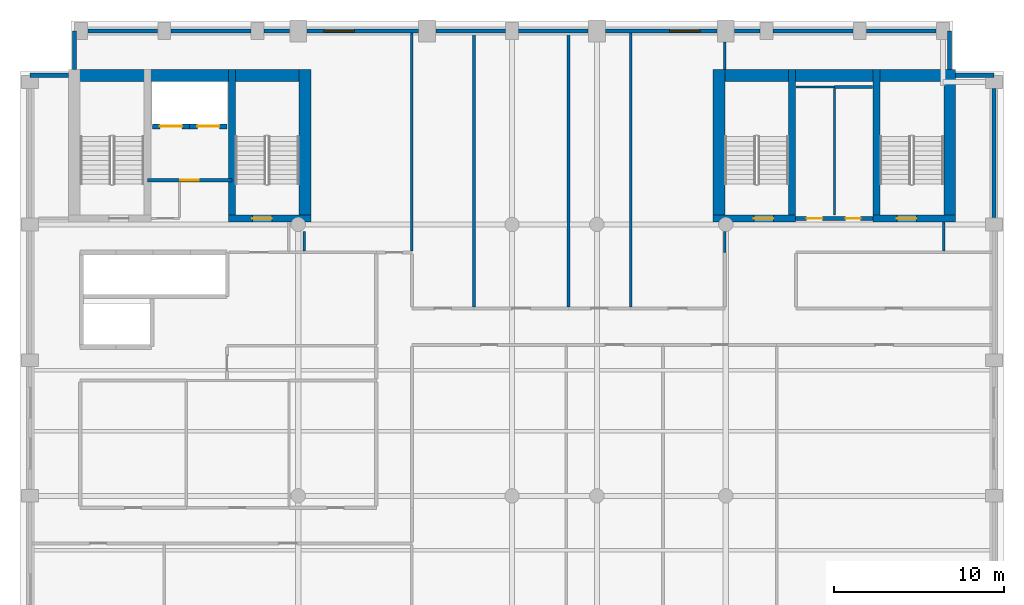
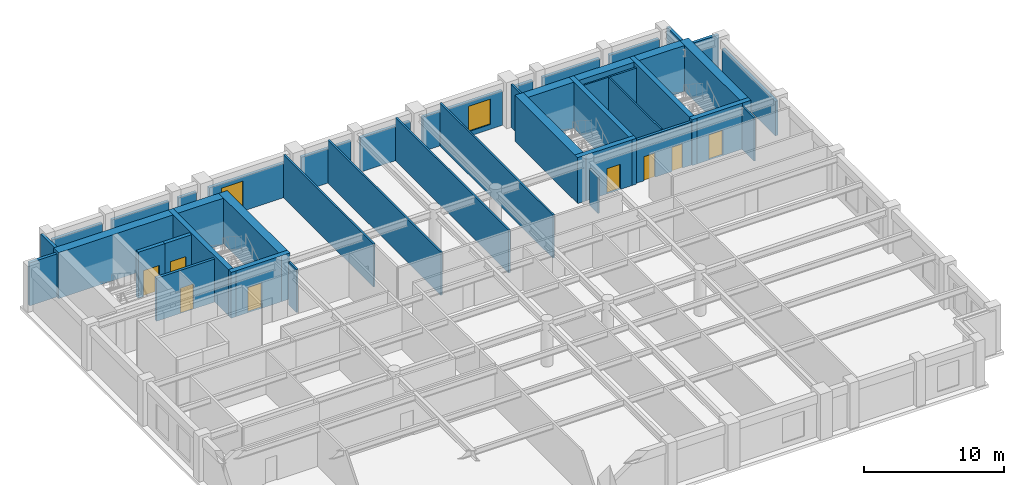
# One storey, part 5 of 8: 41 walls, 8 doors, 2 windows, 10 openings.
"""IFC4 building model written with IfcOpenShell, lengths in metres."""

import ifcopenshell
import ifcopenshell.guid

model = None  # the IFC model being written
_history = None  # IfcOwnerHistory: only IFC2X3 demands one
_inside = {}  # id of a spatial element -> (the spatial element, [elements in it])
_under = {}  # id of a project, library or spatial element -> (it, [spatial elements below it])
_declared = {}  # id of a project -> (the project, [libraries it declares])
_typed = {}  # id of a type object -> (the type object, [elements of that type])
_made_of = {}  # id of a material, layer set ... -> (it, [elements and type objects made of it])


def new_model(schema):
    """Start an empty IFC model of exactly this schema.

    Asked for "IFC4X3", IfcOpenShell would pick the latest addendum, in which some entities
    have other attributes; the version numbers below select the first issue.
    IFC2X3 requires an IfcOwnerHistory on every rooted entity: one is made here for all.
    """
    global model, _history
    if schema == "IFC4X3":
        model = ifcopenshell.file(schema_version=(4, 3, 0, 0))
    else:
        model = ifcopenshell.file(schema=schema)
    _inside.clear()
    _under.clear()
    _declared.clear()
    _typed.clear()
    _made_of.clear()
    _history = None
    if model.schema == "IFC2X3":
        org = make("IfcOrganization", Name="unknown")
        user = make(
            "IfcPersonAndOrganization",
            ThePerson=make("IfcPerson", FamilyName="unknown"),
            TheOrganization=org,
        )
        app = make(
            "IfcApplication",
            ApplicationDeveloper=org,
            Version="unknown",
            ApplicationFullName="unknown",
            ApplicationIdentifier="unknown",
        )
        _history = make(
            "IfcOwnerHistory",
            OwningUser=user,
            OwningApplication=app,
            ChangeAction="ADDED",
            CreationDate=0,
        )
    return model


def make(cls, **values):
    """One entity of the class cls with the attributes given. An attribute that is None is left unset."""
    return model.create_entity(
        cls, **{name: value for name, value in values.items() if value is not None}
    )


def rooted(cls, **values):
    """An entity with a GlobalId (a new one), such as an element, a storey or a relation."""
    return make(cls, GlobalId=ifcopenshell.guid.new(), OwnerHistory=_history, **values)


def si_unit(unit_type, name, prefix=None):
    """IfcSIUnit, for example si_unit("LENGTHUNIT", "METRE", prefix="MILLI")."""
    return make("IfcSIUnit", UnitType=unit_type, Prefix=prefix, Name=name)


def assignment(units):
    """IfcUnitAssignment: the units of a project."""
    return None if units is None else make("IfcUnitAssignment", Units=units)


def point(xyz):
    """IfcCartesianPoint."""
    return None if xyz is None else make("IfcCartesianPoint", Coordinates=xyz)


def direction(xyz):
    """IfcDirection."""
    return None if xyz is None else make("IfcDirection", DirectionRatios=xyz)


def frame(location, z_axis=None, x_axis=None):
    """IfcAxis2Placement3D, a coordinate frame: its origin and axes. An axis left out is left unset."""
    return make(
        "IfcAxis2Placement3D",
        Location=point(location),
        Axis=direction(z_axis),
        RefDirection=direction(x_axis),
    )


def frame_2d(location, x_axis=None):
    """IfcAxis2Placement2D, a coordinate frame in the plane: its origin and x axis."""
    return make(
        "IfcAxis2Placement2D", Location=point(location), RefDirection=direction(x_axis)
    )


def origin():
    """The frame at (0, 0, 0) with its axes left unset."""
    return frame((0.0, 0.0, 0.0))


def place(relative_to, where):
    """IfcLocalPlacement: puts the frame where relative to a parent placement (None: the world)."""
    return make(
        "IfcLocalPlacement", PlacementRelTo=relative_to, RelativePlacement=where
    )


def context(
    kind, dimensions, precision=None, world=None, true_north=None, identifier=None
):
    """IfcGeometricRepresentationContext, for example the 3D "Model" context."""
    return make(
        "IfcGeometricRepresentationContext",
        ContextIdentifier=identifier,
        ContextType=kind,
        CoordinateSpaceDimension=dimensions,
        Precision=precision,
        WorldCoordinateSystem=world,
        TrueNorth=true_north,
    )


def subcontext(parent, identifier, kind, view, scale=None):
    """IfcGeometricRepresentationSubContext, for example "Body" below "Model"."""
    return make(
        "IfcGeometricRepresentationSubContext",
        ContextIdentifier=identifier,
        ContextType=kind,
        ParentContext=parent,
        TargetScale=scale,
        TargetView=view,
    )


def project(units=None, contexts=None):
    """IfcProject with its units and contexts."""
    return rooted(
        "IfcProject",
        Name="project",
        RepresentationContexts=contexts,
        UnitsInContext=assignment(units),
    )


def spatial(cls, under=None, at=None, **own):
    """A site, building, storey or space (cls), placed at a placement, below another one or the project."""
    s = rooted(cls, ObjectPlacement=at, **own)
    if under is not None:
        _under.setdefault(under.id(), (under, []))[1].append(s)
    return s


def profile(cls, at=None, kind="AREA", **sizes):
    """A parametric profile (cls). Its sizes go by their IFC names, for example OverallWidth=200.0."""
    return make(cls, ProfileType=kind, Position=at, **sizes)


def rectangle(**sizes):
    """IfcRectangleProfileDef."""
    return profile("IfcRectangleProfileDef", **sizes)


def extrude(swept, where, along, depth):
    """IfcExtrudedAreaSolid: the profile swept, set in the frame where, extruded along a direction by depth."""
    return make(
        "IfcExtrudedAreaSolid",
        SweptArea=swept,
        Position=where,
        ExtrudedDirection=direction(along),
        Depth=depth,
    )


def shape(context_of_items, identifier, shape_type, items):
    """IfcShapeRepresentation: the items that make up one representation, for example the "Body"."""
    return make(
        "IfcShapeRepresentation",
        ContextOfItems=context_of_items,
        RepresentationIdentifier=identifier,
        RepresentationType=shape_type,
        Items=items,
    )


def material(Name=None, Category=None):
    """IfcMaterial."""
    return make("IfcMaterial", Name=Name, Category=Category)


def layer(
    of_material, thickness, ventilated=None, Name=None, Category=None, Priority=None
):
    """IfcMaterialLayer: one layer of a wall or slab, of a material (None: an air gap)."""
    return make(
        "IfcMaterialLayer",
        Material=of_material,
        LayerThickness=thickness,
        IsVentilated=ventilated,
        Name=Name,
        Category=Category,
        Priority=Priority,
    )


def layer_set(layers, Name=None):
    """IfcMaterialLayerSet."""
    return make("IfcMaterialLayerSet", MaterialLayers=layers, LayerSetName=Name)


def made_of(thing, what):
    """Note that an element or type object is made of a material, layer set ...; save() writes the relation."""
    if what is not None:
        _made_of.setdefault(what.id(), (what, []))[1].append(thing)
    return thing


def type_object(cls, material=None, **own):
    """A type object (cls), such as IfcWallType, which elements share."""
    return made_of(rooted(cls, **own), material)


def element(
    cls,
    number,
    at=None,
    inside=None,
    cuts=None,
    type_object=None,
    material=None,
    context=None,
    identifier="Body",
    shape_type=None,
    held_by="IfcProductDefinitionShape",
    body=None,
    shapes=None,
    **own,
):
    """One element of the class cls, such as IfcWall. Its Tag is "e" and its number.

    at: its placement. inside: the storey or other place that contains it. cuts: it is an
    opening in that element (IfcRelVoidsElement). A single representation is given by context,
    identifier, shape_type and body (its items); several are given by shapes. held_by: the class
    of the entity that holds the representations. save() writes the other relations.
    """
    e = rooted(cls, Tag="e%d" % number, ObjectPlacement=at, **own)
    if body is not None:
        shapes = [shape(context, identifier, shape_type, body)]
    if shapes is not None:
        e.Representation = make(held_by, Representations=shapes)
    if inside is not None:
        _inside.setdefault(inside.id(), (inside, []))[1].append(e)
    if cuts is not None:
        rooted(
            "IfcRelVoidsElement", RelatingBuildingElement=cuts, RelatedOpeningElement=e
        )
    if type_object is not None:
        _typed.setdefault(type_object.id(), (type_object, []))[1].append(e)
    return made_of(e, material)


def fill(opening, filler):
    """IfcRelFillsElement: the door or window that sits in an opening."""
    return rooted(
        "IfcRelFillsElement",
        RelatingOpeningElement=opening,
        RelatedBuildingElement=filler,
    )


def aggregate(whole, parts):
    """IfcRelAggregates: a whole, such as a stair, and the parts it consists of."""
    return rooted("IfcRelAggregates", RelatingObject=whole, RelatedObjects=parts)


def save(model, path):
    """Write the relations noted so far, then the file.

    IfcRelAggregates (storeys below a building ...), IfcRelContainedInSpatialStructure (elements
    in a storey), IfcRelDefinesByType, IfcRelAssociatesMaterial and IfcRelDeclares: one each for
    every whole, place, type object, material and project.
    """
    for whole, parts in _under.values():
        aggregate(whole, parts)
    for where, things in _inside.values():
        rooted(
            "IfcRelContainedInSpatialStructure",
            RelatedElements=things,
            RelatingStructure=where,
        )
    for kind, things in _typed.values():
        rooted("IfcRelDefinesByType", RelatedObjects=things, RelatingType=kind)
    for what, things in _made_of.values():
        rooted("IfcRelAssociatesMaterial", RelatedObjects=things, RelatingMaterial=what)
    for by, libraries in _declared.values():
        rooted("IfcRelDeclares", RelatingContext=by, RelatedDefinitions=libraries)
    model.write(path)


model = new_model("IFC4")

# Units and contexts
model_context = context("Model", 3, precision=1e-05, world=origin(), true_north=direction((0.0, 1.0)))
body_context = subcontext(model_context, "Body", "Model", "MODEL_VIEW")
ifc_project = project(units=[si_unit("LENGTHUNIT", "METRE"), si_unit("AREAUNIT", "SQUARE_METRE"), si_unit("VOLUMEUNIT", "CUBIC_METRE"), si_unit("PLANEANGLEUNIT", "RADIAN"), si_unit("MASSUNIT", "GRAM", prefix="KILO")], contexts=[model_context])

# Site, building, storey
site_placement = place(None, origin())
site = spatial("IfcSite", under=ifc_project, at=site_placement, CompositionType="ELEMENT")
building_placement = place(site_placement, origin())
building = spatial("IfcBuilding", under=site, at=building_placement, Name="Sulina Concourse Tower", CompositionType="ELEMENT")
storey_placement = place(building_placement, frame((0.0, 0.0, 222.60009765625)))
storey = spatial("IfcBuildingStorey", under=building, at=storey_placement, Name="L54", CompositionType="ELEMENT", Elevation=222.60009765625)

# Wall, opening, door
ifc_material_1 = material(Name="Concrete C50/60", Category="concrete")
ifc_layer_1 = layer(ifc_material_1, 0.300048828125)
ifc_layer_set_1 = layer_set([ifc_layer_1], Name="Concrete C50/60")
wall_type_1 = type_object("IfcWallType", Name="Core Lift Hoistway Wall 300mm", PredefinedType="SOLIDWALL", material=ifc_layer_set_1)
wall_1_placement = place(storey_placement, frame((10.0, 39.780029296875, 0.0), z_axis=(0.0, 0.0, 1.0), x_axis=(-1.0, 0.0, 0.0)))
wall_1 = element("IfcWall", 1, at=wall_1_placement, inside=storey, type_object=wall_type_1, Name="L54 hoistway enclosure wall FFL-1", PredefinedType="SOLIDWALL", context=body_context, shape_type="SweptSolid", body=[
    extrude(rectangle(XDim=2.199951171875, YDim=0.300048828125, at=frame_2d((1.10009765625, 0.0))), origin(), (0.0, 0.0, 1.0), 4.0),
])
opening_1_placement = place(wall_1_placement, frame((0.449951171875, 0.0, 0.0)))
opening_1 = element("IfcOpeningElement", 2, at=opening_1_placement, cuts=wall_1, Name="Opening LD-02", PredefinedType="OPENING", context=body_context, shape_type="SweptSolid", body=[
    extrude(rectangle(XDim=1.300048828125, YDim=2.25, at=frame_2d((0.64990234375, 1.125))), frame((0.0, 0.159912109375, 0.0), z_axis=(0.0, -1.0, 0.0), x_axis=(1.0, 0.0, 0.0)), (0.0, 0.0, 1.0), 0.320068359375),
])
ifc_material_2 = material(Name="Stainless steel lift landing door", Category="steel")
ifc_layer_2 = layer(ifc_material_2, 0.050048828125)
ifc_layer_set_2 = layer_set([ifc_layer_2], Name="Stainless steel lift landing door")
door_type_1 = type_object("IfcDoorType", Name="Firefighting Lift Sliding Landing Door 1300x2250", OperationType="SLIDING_TO_RIGHT", PredefinedType="DOOR", material=ifc_layer_set_2)
door_1_placement = place(opening_1_placement, origin())
door_1 = element("IfcDoor", 3, at=door_1_placement, inside=storey, type_object=door_type_1, Name="L54 lift landing sliding door FFL-1", OperationType="SLIDING_TO_LEFT", OverallHeight=2.25, OverallWidth=1.300048828125, PredefinedType="DOOR", context=body_context, shape_type="SweptSolid", body=[
    extrude(rectangle(XDim=1.300048828125, YDim=2.25, at=frame_2d((0.64990234375, 1.125))), frame((0.0, 0.02490234375, 0.0), z_axis=(0.0, -1.0, 0.0), x_axis=(1.0, 0.0, 0.0)), (0.0, 0.0, 1.0), 0.050048828125),
])
fill(opening_1, door_1)

wall_2_placement = place(storey_placement, frame((12.199951171875, 39.780029296875, 0.0), z_axis=(0.0, 0.0, 1.0), x_axis=(-1.0, 0.0, 0.0)))
wall_2 = element("IfcWall", 4, at=wall_2_placement, inside=storey, type_object=wall_type_1, Name="L54 hoistway enclosure wall FFL-2", PredefinedType="SOLIDWALL", context=body_context, shape_type="SweptSolid", body=[
    extrude(rectangle(XDim=2.199951171875, YDim=0.300048828125, at=frame_2d((1.10009765625, 0.0))), origin(), (0.0, 0.0, 1.0), 4.0),
])
opening_2_placement = place(wall_2_placement, frame((0.449951171875, 0.0, 0.0)))
opening_2 = element("IfcOpeningElement", 5, at=opening_2_placement, cuts=wall_2, Name="Opening LD-02", PredefinedType="OPENING", context=body_context, shape_type="SweptSolid", body=[
    extrude(rectangle(XDim=1.300048828125, YDim=2.25, at=frame_2d((0.64990234375, 1.125))), frame((0.0, 0.159912109375, 0.0), z_axis=(0.0, -1.0, 0.0), x_axis=(1.0, 0.0, 0.0)), (0.0, 0.0, 1.0), 0.320068359375),
])
door_2_placement = place(opening_2_placement, origin())
door_2 = element("IfcDoor", 6, at=door_2_placement, inside=storey, type_object=door_type_1, Name="L54 lift landing sliding door FFL-2", OperationType="SLIDING_TO_RIGHT", OverallHeight=2.25, OverallWidth=1.300048828125, PredefinedType="DOOR", context=body_context, shape_type="SweptSolid", body=[
    extrude(rectangle(XDim=1.300048828125, YDim=2.25, at=frame_2d((0.64990234375, 1.125))), frame((0.0, 0.02490234375, 0.0), z_axis=(0.0, -1.0, 0.0), x_axis=(1.0, 0.0, 0.0)), (0.0, 0.0, 1.0), 0.050048828125),
])
fill(opening_2, door_2)

# Walls
ifc_material_3 = material(Name="Precast concrete C50/60", Category="concrete")
ifc_layer_3 = layer(ifc_material_3, 0.239990234375)
ifc_layer_set_3 = layer_set([ifc_layer_3], Name="Precast concrete C50/60")
wall_type_2 = type_object("IfcWallType", Name="Crown Precast Masonry-Frame Facade Wall 240mm", PredefinedType="SOLIDWALL", material=ifc_layer_set_3)
wall_3_placement = place(storey_placement, frame((3.9951171875, 45.39990234375, 0.0), z_axis=(0.0, 0.0, 1.0), x_axis=(1.0, 0.0, 0.0)))
element("IfcWall", 7, at=wall_3_placement, inside=storey, type_object=wall_type_2, Name="L54 exterior precast wall N1", PredefinedType="SOLIDWALL", context=body_context, shape_type="SweptSolid", body=[
    extrude(rectangle(XDim=4.10986328125, YDim=0.239990234375, at=frame_2d((2.054931640625, 0.0))), origin(), (0.0, 0.0, 1.0), 3.0),
])
wall_4_placement = place(storey_placement, frame((8.89501953125, 45.39990234375, 0.0), z_axis=(0.0, 0.0, 1.0), x_axis=(1.0, 0.0, 0.0)))
element("IfcWall", 8, at=wall_4_placement, inside=storey, type_object=wall_type_2, Name="L54 exterior precast wall N2", PredefinedType="SOLIDWALL", context=body_context, shape_type="SweptSolid", body=[
    extrude(rectangle(XDim=4.7099609375, YDim=0.239990234375, at=frame_2d((2.35498046875, 0.0))), origin(), (0.0, 0.0, 1.0), 3.0),
])
wall_5_placement = place(storey_placement, frame((14.39501953125, 45.39990234375, 0.0), z_axis=(0.0, 0.0, 1.0), x_axis=(1.0, 0.0, 0.0)))
element("IfcWall", 9, at=wall_5_placement, inside=storey, type_object=wall_type_2, Name="L54 exterior precast wall N3", PredefinedType="SOLIDWALL", context=body_context, shape_type="SweptSolid", body=[
    extrude(rectangle(XDim=1.48486328125, YDim=0.239990234375, at=frame_2d((0.742431640625, 0.0))), origin(), (0.0, 0.0, 1.0), 3.0),
])

# Wall, opening, window
wall_6_placement = place(storey_placement, frame((16.919921875, 45.39990234375, 0.0), z_axis=(0.0, 0.0, 1.0), x_axis=(1.0, 0.0, 0.0)))
wall_6 = element("IfcWall", 10, at=wall_6_placement, inside=storey, type_object=wall_type_2, Name="L54 exterior precast wall N4", PredefinedType="SOLIDWALL", context=body_context, shape_type="SweptSolid", body=[
    extrude(rectangle(XDim=6.56005859375, YDim=0.239990234375, at=frame_2d((3.280029296875, 0.0))), origin(), (0.0, 0.0, 1.0), 3.0),
])
opening_3_placement = place(wall_6_placement, frame((0.98681640625, 0.0, 0.419921875)))
opening_3 = element("IfcOpeningElement", 11, at=opening_3_placement, cuts=wall_6, Name="Opening WN-25", PredefinedType="OPENING", context=body_context, shape_type="SweptSolid", body=[
    extrude(rectangle(XDim=1.800048828125, YDim=2.199951171875, at=frame_2d((0.89990234375, 1.10009765625))), frame((0.0, 0.1298828125, 0.0), z_axis=(0.0, -1.0, 0.0), x_axis=(1.0, 0.0, 0.0)), (0.0, 0.0, 1.0), 0.260009765625),
])
ifc_material_4 = material(Name="Low-E solar double glazing in bronze aluminium", Category="aluminium")
window_type = type_object("IfcWindowType", Name="Punched Masonry-Frame Window 1800x2200", PartitioningType="SINGLE_PANEL", PredefinedType="WINDOW", material=ifc_material_4)
window_1_placement = place(opening_3_placement, origin())
window_1 = element("IfcWindow", 12, at=window_1_placement, inside=storey, type_object=window_type, Name="L54 punched window N4-1", OverallHeight=2.199951171875, OverallWidth=1.800048828125, PartitioningType="SINGLE_PANEL", PredefinedType="WINDOW", context=body_context, shape_type="SweptSolid", body=[
    extrude(rectangle(XDim=1.800048828125, YDim=2.199951171875, at=frame_2d((0.89990234375, 1.10009765625))), frame((0.0, 0.030029296875, 0.0), z_axis=(0.0, -1.0, 0.0), x_axis=(1.0, 0.0, 0.0)), (0.0, 0.0, 1.0), 0.06005859375),
])
fill(opening_3, window_1)

# Walls
for number, where, z_axis, x_axis, name in (
    (13, (24.52001953125, 45.39990234375, 0.0), (0.0, 0.0, 1.0), (1.0, 0.0, 0.0), "L54 exterior precast wall N5"),
    (14, (29.39501953125, 45.39990234375, 0.0), (0.0, 0.0, 1.0), (1.0, 0.0, 0.0), "L54 exterior precast wall N6"),
):
    element("IfcWall", number, at=place(storey_placement, frame(where, z_axis=z_axis, x_axis=x_axis)), inside=storey, type_object=wall_type_2, Name=name, PredefinedType="SOLIDWALL", context=body_context, shape_type="SweptSolid", body=[
        extrude(rectangle(XDim=4.0849609375, YDim=0.239990234375, at=frame_2d((2.04248046875, 0.0))), origin(), (0.0, 0.0, 1.0), 3.0),
    ])

# Wall, opening, window
wall_7_placement = place(storey_placement, frame((34.52001953125, 45.39990234375, 0.0), z_axis=(0.0, 0.0, 1.0), x_axis=(1.0, 0.0, 0.0)))
wall_7 = element("IfcWall", 15, at=wall_7_placement, inside=storey, type_object=wall_type_2, Name="L54 exterior precast wall N7", PredefinedType="SOLIDWALL", context=body_context, shape_type="SweptSolid", body=[
    extrude(rectangle(XDim=6.56005859375, YDim=0.239990234375, at=frame_2d((3.280029296875, 0.0))), origin(), (0.0, 0.0, 1.0), 3.0),
])
opening_4_placement = place(wall_7_placement, frame((3.773193359375, 0.0, 0.419921875)))
opening_4 = element("IfcOpeningElement", 16, at=opening_4_placement, cuts=wall_7, Name="Opening WN-25", PredefinedType="OPENING", context=body_context, shape_type="SweptSolid", body=[
    extrude(rectangle(XDim=1.800048828125, YDim=2.199951171875, at=frame_2d((0.89990234375, 1.10009765625))), frame((0.0, 0.1298828125, 0.0), z_axis=(0.0, -1.0, 0.0), x_axis=(1.0, 0.0, 0.0)), (0.0, 0.0, 1.0), 0.260009765625),
])
window_2_placement = place(opening_4_placement, origin())
window_2 = element("IfcWindow", 17, at=window_2_placement, inside=storey, type_object=window_type, Name="L54 punched window N7-1", OverallHeight=2.199951171875, OverallWidth=1.800048828125, PartitioningType="SINGLE_PANEL", PredefinedType="WINDOW", context=body_context, shape_type="SweptSolid", body=[
    extrude(rectangle(XDim=1.800048828125, YDim=2.199951171875, at=frame_2d((0.89990234375, 1.10009765625))), frame((0.0, 0.030029296875, 0.0), z_axis=(0.0, -1.0, 0.0), x_axis=(1.0, 0.0, 0.0)), (0.0, 0.0, 1.0), 0.06005859375),
])
fill(opening_4, window_2)

# Walls
wall_8_placement = place(storey_placement, frame((42.1201171875, 45.39990234375, 0.0), z_axis=(0.0, 0.0, 1.0), x_axis=(1.0, 0.0, 0.0)))
element("IfcWall", 18, at=wall_8_placement, inside=storey, type_object=wall_type_2, Name="L54 exterior precast wall N8", PredefinedType="SOLIDWALL", context=body_context, shape_type="SweptSolid", body=[
    extrude(rectangle(XDim=1.48486328125, YDim=0.239990234375, at=frame_2d((0.742431640625, 0.0))), origin(), (0.0, 0.0, 1.0), 3.0),
])
wall_9_placement = place(storey_placement, frame((44.39501953125, 45.39990234375, 0.0), z_axis=(0.0, 0.0, 1.0), x_axis=(1.0, 0.0, 0.0)))
element("IfcWall", 19, at=wall_9_placement, inside=storey, type_object=wall_type_2, Name="L54 exterior precast wall N9", PredefinedType="SOLIDWALL", context=body_context, shape_type="SweptSolid", body=[
    extrude(rectangle(XDim=4.7099609375, YDim=0.239990234375, at=frame_2d((2.35498046875, 0.0))), origin(), (0.0, 0.0, 1.0), 3.0),
])
wall_10_placement = place(storey_placement, frame((49.89501953125, 45.39990234375, 0.0), z_axis=(0.0, 0.0, 1.0), x_axis=(1.0, 0.0, 0.0)))
element("IfcWall", 20, at=wall_10_placement, inside=storey, type_object=wall_type_2, Name="L54 exterior precast wall N10", PredefinedType="SOLIDWALL", context=body_context, shape_type="SweptSolid", body=[
    extrude(rectangle(XDim=4.10986328125, YDim=0.239990234375, at=frame_2d((2.054931640625, 0.0))), origin(), (0.0, 0.0, 1.0), 3.0),
])
wall_11_placement = place(storey_placement, frame((57.39990234375, 42.0048828125, 0.0), z_axis=(0.0, 0.0, 1.0), x_axis=(0.0, -1.0, 0.0)))
element("IfcWall", 21, at=wall_11_placement, inside=storey, type_object=wall_type_2, Name="L54 exterior precast wall E5", PredefinedType="SOLIDWALL", context=body_context, shape_type="SweptSolid", body=[
    extrude(rectangle(XDim=7.60986328125, YDim=0.239990234375, at=frame_2d((3.804931640625, 0.0))), origin(), (0.0, 0.0, 1.0), 3.0),
])
wall_12_placement = place(storey_placement, frame((0.60009765625, 42.794921875, 0.0), z_axis=(0.0, 0.0, 1.0), x_axis=(1.0, 0.0, 0.0)))
element("IfcWall", 22, at=wall_12_placement, inside=storey, type_object=wall_type_2, Name="L54 exterior precast wall CNW1", PredefinedType="SOLIDWALL", context=body_context, shape_type="SweptSolid", body=[
    extrude(rectangle(XDim=2.244873046875, YDim=0.239990234375, at=frame_2d((1.12255859375, 0.0))), origin(), (0.0, 0.0, 1.0), 3.75),
])
for number, where, z_axis, x_axis, name in (
    (23, (3.205078125, 43.135009765625, 0.0), (0.0, 0.0, 1.0), (0.0, 1.0, 0.0), "L54 exterior precast wall CNW2"),
    (24, (54.794921875, 45.39990234375, 0.0), (0.0, 0.0, 1.0), (0.0, -1.0, 0.0), "L54 exterior precast wall CNE1"),
):
    element("IfcWall", number, at=place(storey_placement, frame(where, z_axis=z_axis, x_axis=x_axis)), inside=storey, type_object=wall_type_2, Name=name, PredefinedType="SOLIDWALL", context=body_context, shape_type="SweptSolid", body=[
        extrude(rectangle(XDim=2.264892578125, YDim=0.239990234375, at=frame_2d((1.13232421875, 0.0))), origin(), (0.0, 0.0, 1.0), 3.75),
    ])
wall_13_placement = place(storey_placement, frame((55.155029296875, 42.794921875, 0.0), z_axis=(0.0, 0.0, 1.0), x_axis=(1.0, 0.0, 0.0)))
element("IfcWall", 25, at=wall_13_placement, inside=storey, type_object=wall_type_2, Name="L54 exterior precast wall CNE2", PredefinedType="SOLIDWALL", context=body_context, shape_type="SweptSolid", body=[
    extrude(rectangle(XDim=2.244873046875, YDim=0.239990234375, at=frame_2d((1.12255859375, 0.0))), origin(), (0.0, 0.0, 1.0), 3.75),
])

# Wall, opening, door
ifc_material_5 = material(Name="Gypsum board on steel stud", Category="steel")
ifc_layer_4 = layer(ifc_material_5, 0.219970703125)
ifc_layer_set_4 = layer_set([ifc_layer_4], Name="Gypsum board on steel stud")
wall_type_3 = type_object("IfcWallType", Name="Fire-Rated Lobby & Compartment Wall 220mm", PredefinedType="PARTITIONING", material=ifc_layer_set_4)
wall_14_placement = place(storey_placement, frame((7.510009765625, 36.60009765625, 0.0), z_axis=(0.0, 0.0, 1.0), x_axis=(1.0, 0.0, 0.0)))
wall_14 = element("IfcWall", 26, at=wall_14_placement, inside=storey, type_object=wall_type_3, Name="L54 firefighting lobby south fire wall", PredefinedType="PARTITIONING", context=body_context, shape_type="SweptSolid", body=[
    extrude(rectangle(XDim=4.97998046875, YDim=0.219970703125, at=frame_2d((2.489990234375, 0.0))), origin(), (0.0, 0.0, 1.0), 3.75),
])
opening_5_placement = place(wall_14_placement, frame((1.93994140625, 0.0, 0.0)))
opening_5 = element("IfcOpeningElement", 27, at=opening_5_placement, cuts=wall_14, Name="Opening DR-47", PredefinedType="OPENING", context=body_context, shape_type="SweptSolid", body=[
    extrude(rectangle(XDim=1.10009765625, YDim=2.199951171875, at=frame_2d((0.550048828125, 1.10009765625))), frame((0.0, 0.119873046875, 0.0), z_axis=(0.0, -1.0, 0.0), x_axis=(1.0, 0.0, 0.0)), (0.0, 0.0, 1.0), 0.239990234375),
])
ifc_material_6 = material(Name="Galvanised steel acoustic fire leaf", Category="steel")
ifc_layer_5 = layer(ifc_material_6, 0.054931640625)
ifc_layer_set_5 = layer_set([ifc_layer_5], Name="Galvanised steel acoustic fire leaf")
door_type_2 = type_object("IfcDoorType", Name="Firefighting Lobby Fire Door 1100x2200", OperationType="NOTDEFINED", PredefinedType="DOOR", material=ifc_layer_set_5)
door_3_placement = place(opening_5_placement, origin())
door_3 = element("IfcDoor", 28, at=door_3_placement, inside=storey, type_object=door_type_2, Name="L54 firefighting lobby fire door", OperationType="SINGLE_SWING_LEFT", OverallHeight=2.199951171875, OverallWidth=1.10009765625, PredefinedType="DOOR", context=body_context, shape_type="SweptSolid", body=[
    extrude(rectangle(XDim=1.10009765625, YDim=2.199951171875, at=frame_2d((0.550048828125, 1.10009765625))), frame((0.0, 0.02490234375, 0.0), z_axis=(0.0, -1.0, 0.0), x_axis=(1.0, 0.0, 0.0)), (0.0, 0.0, 1.0), 0.050048828125),
])
fill(opening_5, door_3)

# Wall, openings, doors
wall_15_placement = place(storey_placement, frame((45.719970703125, 34.35009765625, 0.0), z_axis=(0.0, 0.0, 1.0), x_axis=(1.0, 0.0, 0.0)))
wall_15 = element("IfcWall", 29, at=wall_15_placement, inside=storey, type_object=wall_type_3, Name="L54 east core south lobby wall", PredefinedType="PARTITIONING", context=body_context, shape_type="SweptSolid", body=[
    extrude(rectangle(XDim=4.56005859375, YDim=0.219970703125, at=frame_2d((2.280029296875, 0.0))), origin(), (0.0, 0.0, 1.0), 3.75),
])
opening_6_placement = place(wall_15_placement, frame((0.64990234375, 0.0, 0.0)))
opening_6 = element("IfcOpeningElement", 30, at=opening_6_placement, cuts=wall_15, Name="Opening DR-61", PredefinedType="OPENING", context=body_context, shape_type="SweptSolid", body=[
    extrude(rectangle(XDim=0.919921875, YDim=2.10009765625, at=frame_2d((0.4599609375, 1.050048828125))), frame((0.0, 0.119873046875, 0.0), z_axis=(0.0, -1.0, 0.0), x_axis=(1.0, 0.0, 0.0)), (0.0, 0.0, 1.0), 0.239990234375),
])
opening_7_placement = place(wall_15_placement, frame((2.949951171875, 0.0, 0.0)))
opening_7 = element("IfcOpeningElement", 31, at=opening_7_placement, cuts=wall_15, Name="Opening DR-38", PredefinedType="OPENING", context=body_context, shape_type="SweptSolid", body=[
    extrude(rectangle(XDim=0.8798828125, YDim=2.10009765625, at=frame_2d((0.43994140625, 1.050048828125))), frame((0.0, 0.119873046875, 0.0), z_axis=(0.0, -1.0, 0.0), x_axis=(1.0, 0.0, 0.0)), (0.0, 0.0, 1.0), 0.239990234375),
])
ifc_material_7 = material(Name="Oak-veneered fire door leaf")
ifc_layer_6 = layer(ifc_material_7, 0.050048828125)
ifc_layer_set_6 = layer_set([ifc_layer_6], Name="Oak-veneered fire door leaf")
door_type_3 = type_object("IfcDoorType", Name="Accessible WC Door 920x2100", OperationType="NOTDEFINED", PredefinedType="DOOR", material=ifc_layer_set_6)
door_4_placement = place(opening_6_placement, origin())
door_4 = element("IfcDoor", 32, at=door_4_placement, inside=storey, type_object=door_type_3, Name="L54 east core accessible wc door", OperationType="SINGLE_SWING_LEFT", OverallHeight=2.10009765625, OverallWidth=0.919921875, PredefinedType="DOOR", context=body_context, shape_type="SweptSolid", body=[
    extrude(rectangle(XDim=0.919921875, YDim=2.10009765625, at=frame_2d((0.4599609375, 1.050048828125))), frame((0.0, 0.02490234375, 0.0), z_axis=(0.0, -1.0, 0.0), x_axis=(1.0, 0.0, 0.0)), (0.0, 0.0, 1.0), 0.050048828125),
])
fill(opening_6, door_4)
ifc_material_8 = material(Name="Galvanised steel acoustic fire leaf", Category="steel")
ifc_layer_7 = layer(ifc_material_8, 0.050048828125)
ifc_layer_set_7 = layer_set([ifc_layer_7], Name="Galvanised steel acoustic fire leaf")
door_type_4 = type_object("IfcDoorType", Name="Service Riser Fire Door 880x2100", OperationType="NOTDEFINED", PredefinedType="DOOR", material=ifc_layer_set_7)
door_5_placement = place(opening_7_placement, origin())
door_5 = element("IfcDoor", 33, at=door_5_placement, inside=storey, type_object=door_type_4, Name="L54 east core store door", OperationType="SINGLE_SWING_RIGHT", OverallHeight=2.10009765625, OverallWidth=0.8798828125, PredefinedType="DOOR", context=body_context, shape_type="SweptSolid", body=[
    extrude(rectangle(XDim=0.8798828125, YDim=2.10009765625, at=frame_2d((0.43994140625, 1.050048828125))), frame((0.0, 0.02490234375, 0.0), z_axis=(0.0, -1.0, 0.0), x_axis=(1.0, 0.0, 0.0)), (0.0, 0.0, 1.0), 0.050048828125),
])
fill(opening_7, door_5)

# Walls
ifc_material_9 = material(Name="Gypsum board on steel stud", Category="steel")
ifc_layer_8 = layer(ifc_material_9, 0.14990234375)
ifc_layer_set_8 = layer_set([ifc_layer_8], Name="Gypsum board on steel stud")
wall_type_4 = type_object("IfcWallType", Name="Inter-Tenancy Acoustic Partition 150mm", PredefinedType="PARTITIONING", material=ifc_layer_set_8)
wall_16_placement = place(storey_placement, frame((48.0, 42.10009765625, 0.0), z_axis=(0.0, 0.0, 1.0), x_axis=(1.0, 0.0, 0.0)))
element("IfcWall", 34, at=wall_16_placement, inside=storey, type_object=wall_type_4, Name="L54 interior partition 029", PredefinedType="PARTITIONING", context=body_context, shape_type="SweptSolid", body=[
    extrude(rectangle(XDim=2.25, YDim=0.14990234375, at=frame_2d((1.125, 0.0))), origin(), (0.0, 0.0, 1.0), 3.75),
])
wall_17_placement = place(storey_placement, frame((16.75, 32.425048828125, 0.0), z_axis=(0.0, 0.0, 1.0), x_axis=(0.0, 1.0, 0.0)))
element("IfcWall", 35, at=wall_17_placement, inside=storey, type_object=wall_type_4, Name="L54 interior partition 037", PredefinedType="PARTITIONING", context=body_context, shape_type="SweptSolid", body=[
    extrude(rectangle(XDim=1.14990234375, YDim=0.14990234375, at=frame_2d((0.574951171875, 0.0))), origin(), (0.0, 0.0, 1.0), 3.75),
])
wall_18_placement = place(storey_placement, frame((23.10009765625, 32.43994140625, 0.0), z_axis=(0.0, 0.0, 1.0), x_axis=(0.0, 1.0, 0.0)))
element("IfcWall", 36, at=wall_18_placement, inside=storey, type_object=wall_type_4, Name="L54 interior partition 045", PredefinedType="PARTITIONING", context=body_context, shape_type="SweptSolid", body=[
    extrude(rectangle(XDim=12.840087890625, YDim=0.14990234375, at=frame_2d((6.419921875, 0.0))), origin(), (0.0, 0.0, 1.0), 3.75),
])
for number, where, z_axis, x_axis, name in (
    (37, (26.760009765625, 29.139892578125, 0.0), (0.0, 0.0, 1.0), (0.0, 1.0, 0.0), "L54 interior partition 046"),
    (38, (32.330078125, 29.139892578125, 0.0), (0.0, 0.0, 1.0), (0.0, 1.0, 0.0), "L54 interior partition 048"),
    (39, (35.989990234375, 29.139892578125, 0.0), (0.0, 0.0, 1.0), (0.0, 1.0, 0.0), "L54 interior partition 049"),
):
    element("IfcWall", number, at=place(storey_placement, frame(where, z_axis=z_axis, x_axis=x_axis)), inside=storey, type_object=wall_type_4, Name=name, PredefinedType="PARTITIONING", context=body_context, shape_type="SweptSolid", body=[
        extrude(rectangle(XDim=16.14013671875, YDim=0.14990234375, at=frame_2d((8.070068359375, 0.0))), origin(), (0.0, 0.0, 1.0), 3.75),
    ])
wall_19_placement = place(storey_placement, frame((41.550048828125, 32.35009765625, 0.0), z_axis=(0.0, 0.0, 1.0), x_axis=(0.0, 1.0, 0.0)))
element("IfcWall", 40, at=wall_19_placement, inside=storey, type_object=wall_type_4, Name="L54 interior partition 052", PredefinedType="PARTITIONING", context=body_context, shape_type="SweptSolid", body=[
    extrude(rectangle(XDim=1.224853515625, YDim=0.14990234375, at=frame_2d((0.6123046875, 0.0))), origin(), (0.0, 0.0, 1.0), 3.14501953125),
])
wall_20_placement = place(storey_placement, frame((41.550048828125, 43.1298828125, 0.0), z_axis=(0.0, 0.0, 1.0), x_axis=(0.0, 1.0, 0.0)))
element("IfcWall", 41, at=wall_20_placement, inside=storey, type_object=wall_type_4, Name="L54 interior partition 053", PredefinedType="PARTITIONING", context=body_context, shape_type="SweptSolid", body=[
    extrude(rectangle(XDim=1.6201171875, YDim=0.14990234375, at=frame_2d((0.81005859375, 0.0))), origin(), (0.0, 0.0, 1.0), 3.75),
])
wall_21_placement = place(storey_placement, frame((54.449951171875, 32.425048828125, 0.0), z_axis=(0.0, 0.0, 1.0), x_axis=(0.0, 1.0, 0.0)))
element("IfcWall", 42, at=wall_21_placement, inside=storey, type_object=wall_type_4, Name="L54 interior partition 057", PredefinedType="PARTITIONING", context=body_context, shape_type="SweptSolid", body=[
    extrude(rectangle(XDim=1.724853515625, YDim=0.14990234375, at=frame_2d((0.8623046875, 0.0))), origin(), (0.0, 0.0, 1.0), 3.75),
])

# Wall, opening, door
ifc_material_10 = material(Name="Concrete C60/75", Category="concrete")
ifc_layer_9 = layer(ifc_material_10, 0.39990234375)
ifc_layer_set_9 = layer_set([ifc_layer_9], Name="Concrete C60/75")
wall_type_5 = type_object("IfcWallType", Name="Protected Stair Core Shear Wall 400mm", PredefinedType="SHEAR", material=ifc_layer_set_9)
wall_22_placement = place(storey_placement, frame((12.2900390625, 34.35009765625, 0.0), z_axis=(0.0, 0.0, 1.0), x_axis=(1.0, 0.0, 0.0)))
wall_22 = element("IfcWall", 43, at=wall_22_placement, inside=storey, type_object=wall_type_5, Name="L54 west core shear wall CW-WS2", PredefinedType="SHEAR", context=body_context, shape_type="SweptSolid", body=[
    extrude(rectangle(XDim=4.85986328125, YDim=0.39990234375, at=frame_2d((2.429931640625, 0.0))), origin(), (0.0, 0.0, 1.0), 4.0),
])
opening_8_placement = place(wall_22_placement, frame((1.39990234375, 0.0, 0.0)))
opening_8 = element("IfcOpeningElement", 44, at=opening_8_placement, cuts=wall_22, Name="Opening DR-60", PredefinedType="OPENING", context=body_context, shape_type="SweptSolid", body=[
    extrude(rectangle(XDim=1.14990234375, YDim=2.199951171875, at=frame_2d((0.574951171875, 1.10009765625))), frame((0.0, 0.2099609375, 0.0), z_axis=(0.0, -1.0, 0.0), x_axis=(1.0, 0.0, 0.0)), (0.0, 0.0, 1.0), 0.419921875),
])
ifc_material_11 = material(Name="Galvanised steel acoustic fire leaf", Category="steel")
ifc_layer_10 = layer(ifc_material_11, 0.054931640625)
ifc_layer_set_10 = layer_set([ifc_layer_10], Name="Galvanised steel acoustic fire leaf")
door_type_5 = type_object("IfcDoorType", Name="Protected Exit Stair Fire Door 1150x2200", OperationType="NOTDEFINED", PredefinedType="DOOR", material=ifc_layer_set_10)
door_6_placement = place(opening_8_placement, origin())
door_6 = element("IfcDoor", 45, at=door_6_placement, inside=storey, type_object=door_type_5, Name="L54 stair ST-2 lobby fire door", OperationType="SINGLE_SWING_RIGHT", OverallHeight=2.199951171875, OverallWidth=1.14990234375, PredefinedType="DOOR", context=body_context, shape_type="SweptSolid", body=[
    extrude(rectangle(XDim=1.14990234375, YDim=2.199951171875, at=frame_2d((0.574951171875, 1.10009765625))), frame((0.0, 0.02490234375, 0.0), z_axis=(0.0, -1.0, 0.0), x_axis=(1.0, 0.0, 0.0)), (0.0, 0.0, 1.0), 0.050048828125),
])
fill(opening_8, door_6)

# Wall
wall_23_placement = place(storey_placement, frame((12.489990234375, 34.14990234375, 0.0), z_axis=(0.0, 0.0, 1.0), x_axis=(0.0, 1.0, 0.0)))
element("IfcWall", 46, at=wall_23_placement, inside=storey, type_object=wall_type_5, Name="L54 west core shear wall SW-ST2", PredefinedType="SHEAR", context=body_context, shape_type="SweptSolid", body=[
    extrude(rectangle(XDim=8.97998046875, YDim=0.39990234375, at=frame_2d((4.489990234375, 0.0))), origin(), (0.0, 0.0, 1.0), 4.0),
])

# Wall, opening, door
wall_24_placement = place(storey_placement, frame((40.85009765625, 34.35009765625, 0.0), z_axis=(0.0, 0.0, 1.0), x_axis=(1.0, 0.0, 0.0)))
wall_24 = element("IfcWall", 47, at=wall_24_placement, inside=storey, type_object=wall_type_5, Name="L54 east core shear wall CW-ES1", PredefinedType="SHEAR", context=body_context, shape_type="SweptSolid", body=[
    extrude(rectangle(XDim=4.85986328125, YDim=0.39990234375, at=frame_2d((2.429931640625, 0.0))), origin(), (0.0, 0.0, 1.0), 4.0),
])
opening_9_placement = place(wall_24_placement, frame((2.39990234375, 0.0, 0.0)))
opening_9 = element("IfcOpeningElement", 48, at=opening_9_placement, cuts=wall_24, Name="Opening DR-60", PredefinedType="OPENING", context=body_context, shape_type="SweptSolid", body=[
    extrude(rectangle(XDim=1.14990234375, YDim=2.199951171875, at=frame_2d((0.574951171875, 1.10009765625))), frame((0.0, 0.2099609375, 0.0), z_axis=(0.0, -1.0, 0.0), x_axis=(1.0, 0.0, 0.0)), (0.0, 0.0, 1.0), 0.419921875),
])
door_7_placement = place(opening_9_placement, origin())
door_7 = element("IfcDoor", 49, at=door_7_placement, inside=storey, type_object=door_type_5, Name="L54 stair ST-3 south lobby fire door", OperationType="SINGLE_SWING_RIGHT", OverallHeight=2.199951171875, OverallWidth=1.14990234375, PredefinedType="DOOR", context=body_context, shape_type="SweptSolid", body=[
    extrude(rectangle(XDim=1.14990234375, YDim=2.199951171875, at=frame_2d((0.574951171875, 1.10009765625))), frame((0.0, 0.02490234375, 0.0), z_axis=(0.0, -1.0, 0.0), x_axis=(1.0, 0.0, 0.0)), (0.0, 0.0, 1.0), 0.050048828125),
])
fill(opening_9, door_7)

# Wall
wall_25_placement = place(storey_placement, frame((45.510009765625, 34.14990234375, 0.0), z_axis=(0.0, 0.0, 1.0), x_axis=(0.0, 1.0, 0.0)))
element("IfcWall", 50, at=wall_25_placement, inside=storey, type_object=wall_type_5, Name="L54 east core shear wall SW-ST3", PredefinedType="SHEAR", context=body_context, shape_type="SweptSolid", body=[
    extrude(rectangle(XDim=8.97998046875, YDim=0.39990234375, at=frame_2d((4.489990234375, 0.0))), origin(), (0.0, 0.0, 1.0), 4.0),
])

# Wall, opening, door
wall_26_placement = place(storey_placement, frame((50.2900390625, 34.35009765625, 0.0), z_axis=(0.0, 0.0, 1.0), x_axis=(1.0, 0.0, 0.0)))
wall_26 = element("IfcWall", 51, at=wall_26_placement, inside=storey, type_object=wall_type_5, Name="L54 east core shear wall CW-ES2", PredefinedType="SHEAR", context=body_context, shape_type="SweptSolid", body=[
    extrude(rectangle(XDim=4.85986328125, YDim=0.39990234375, at=frame_2d((2.429931640625, 0.0))), origin(), (0.0, 0.0, 1.0), 4.0),
])
opening_10_placement = place(wall_26_placement, frame((1.39990234375, 0.0, 0.0)))
opening_10 = element("IfcOpeningElement", 52, at=opening_10_placement, cuts=wall_26, Name="Opening DR-60", PredefinedType="OPENING", context=body_context, shape_type="SweptSolid", body=[
    extrude(rectangle(XDim=1.14990234375, YDim=2.199951171875, at=frame_2d((0.574951171875, 1.10009765625))), frame((0.0, 0.2099609375, 0.0), z_axis=(0.0, -1.0, 0.0), x_axis=(1.0, 0.0, 0.0)), (0.0, 0.0, 1.0), 0.419921875),
])
door_8_placement = place(opening_10_placement, origin())
door_8 = element("IfcDoor", 53, at=door_8_placement, inside=storey, type_object=door_type_5, Name="L54 stair ST-4 south lobby fire door", OperationType="SINGLE_SWING_LEFT", OverallHeight=2.199951171875, OverallWidth=1.14990234375, PredefinedType="DOOR", context=body_context, shape_type="SweptSolid", body=[
    extrude(rectangle(XDim=1.14990234375, YDim=2.199951171875, at=frame_2d((0.574951171875, 1.10009765625))), frame((0.0, 0.02490234375, 0.0), z_axis=(0.0, -1.0, 0.0), x_axis=(1.0, 0.0, 0.0)), (0.0, 0.0, 1.0), 0.050048828125),
])
fill(opening_10, door_8)

# Walls
wall_27_placement = place(storey_placement, frame((50.489990234375, 34.14990234375, 0.0), z_axis=(0.0, 0.0, 1.0), x_axis=(0.0, 1.0, 0.0)))
element("IfcWall", 54, at=wall_27_placement, inside=storey, type_object=wall_type_5, Name="L54 east core shear wall SW-ST4", PredefinedType="SHEAR", context=body_context, shape_type="SweptSolid", body=[
    extrude(rectangle(XDim=8.97998046875, YDim=0.39990234375, at=frame_2d((4.489990234375, 0.0))), origin(), (0.0, 0.0, 1.0), 4.0),
])
ifc_material_12 = material(Name="Concrete C60/75", Category="concrete")
ifc_layer_11 = layer(ifc_material_12, 0.699951171875)
ifc_layer_set_11 = layer_set([ifc_layer_11], Name="Concrete C60/75")
wall_type_6 = type_object("IfcWallType", Name="Rear Core Shear Wall 700mm", PredefinedType="SHEAR", material=ifc_layer_set_11)
wall_28_placement = place(storey_placement, frame((2.85009765625, 42.780029296875, 0.0), z_axis=(0.0, 0.0, 1.0), x_axis=(1.0, 0.0, 0.0)))
element("IfcWall", 55, at=wall_28_placement, inside=storey, type_object=wall_type_6, Name="L54 west core shear wall CW-WN", PredefinedType="SHEAR", context=body_context, shape_type="SweptSolid", body=[
    extrude(rectangle(XDim=14.2998046875, YDim=0.699951171875, at=frame_2d((7.14990234375, 0.0))), origin(), (0.0, 0.0, 1.0), 4.0),
])
wall_29_placement = place(storey_placement, frame((16.800048828125, 34.14990234375, 0.0), z_axis=(0.0, 0.0, 1.0), x_axis=(0.0, 1.0, 0.0)))
element("IfcWall", 56, at=wall_29_placement, inside=storey, type_object=wall_type_6, Name="L54 west core shear wall CW-WE", PredefinedType="SHEAR", context=body_context, shape_type="SweptSolid", body=[
    extrude(rectangle(XDim=8.97998046875, YDim=0.699951171875, at=frame_2d((4.489990234375, 0.0))), origin(), (0.0, 0.0, 1.0), 4.0),
])
wall_30_placement = place(storey_placement, frame((40.85009765625, 42.780029296875, 0.0), z_axis=(0.0, 0.0, 1.0), x_axis=(1.0, 0.0, 0.0)))
element("IfcWall", 57, at=wall_30_placement, inside=storey, type_object=wall_type_6, Name="L54 east core shear wall CW-EN", PredefinedType="SHEAR", context=body_context, shape_type="SweptSolid", body=[
    extrude(rectangle(XDim=14.2998046875, YDim=0.699951171875, at=frame_2d((7.14990234375, 0.0))), origin(), (0.0, 0.0, 1.0), 4.0),
])
for number, where, z_axis, x_axis, name in (
    (58, (41.199951171875, 34.14990234375, 0.0), (0.0, 0.0, 1.0), (0.0, 1.0, 0.0), "L54 east core shear wall CW-EW"),
    (59, (54.800048828125, 34.14990234375, 0.0), (0.0, 0.0, 1.0), (0.0, 1.0, 0.0), "L54 east core shear wall CW-EE"),
):
    element("IfcWall", number, at=place(storey_placement, frame(where, z_axis=z_axis, x_axis=x_axis)), inside=storey, type_object=wall_type_6, Name=name, PredefinedType="SHEAR", context=body_context, shape_type="SweptSolid", body=[
        extrude(rectangle(XDim=8.97998046875, YDim=0.699951171875, at=frame_2d((4.489990234375, 0.0))), origin(), (0.0, 0.0, 1.0), 4.0),
    ])
ifc_material_13 = material(Name="Gypsum board on steel stud", Category="steel")
ifc_layer_12 = layer(ifc_material_13, 0.125)
ifc_layer_set_12 = layer_set([ifc_layer_12], Name="Gypsum board on steel stud")
wall_type_7 = type_object("IfcWallType", Name="Wet-Area Moisture-Resistant Partition 125mm", PredefinedType="PARTITIONING", material=ifc_layer_set_12)
wall_31_placement = place(storey_placement, frame((45.75, 42.10009765625, 0.0), z_axis=(0.0, 0.0, 1.0), x_axis=(1.0, 0.0, 0.0)))
element("IfcWall", 60, at=wall_31_placement, inside=storey, type_object=wall_type_7, Name="L54 interior partition 028", PredefinedType="PARTITIONING", context=body_context, shape_type="SweptSolid", body=[
    extrude(rectangle(XDim=2.25, YDim=0.125, at=frame_2d((1.125, 0.0))), origin(), (0.0, 0.0, 1.0), 3.75),
])
wall_32_placement = place(storey_placement, frame((48.0, 34.550048828125, 0.0), z_axis=(0.0, 0.0, 1.0), x_axis=(0.0, 1.0, 0.0)))
element("IfcWall", 61, at=wall_32_placement, inside=storey, type_object=wall_type_7, Name="L54 interior partition 056", PredefinedType="PARTITIONING", context=body_context, shape_type="SweptSolid", body=[
    extrude(rectangle(XDim=7.474853515625, YDim=0.125, at=frame_2d((3.7373046875, 0.0))), origin(), (0.0, 0.0, 1.0), 3.75),
])

save(model, "model.ifc")
